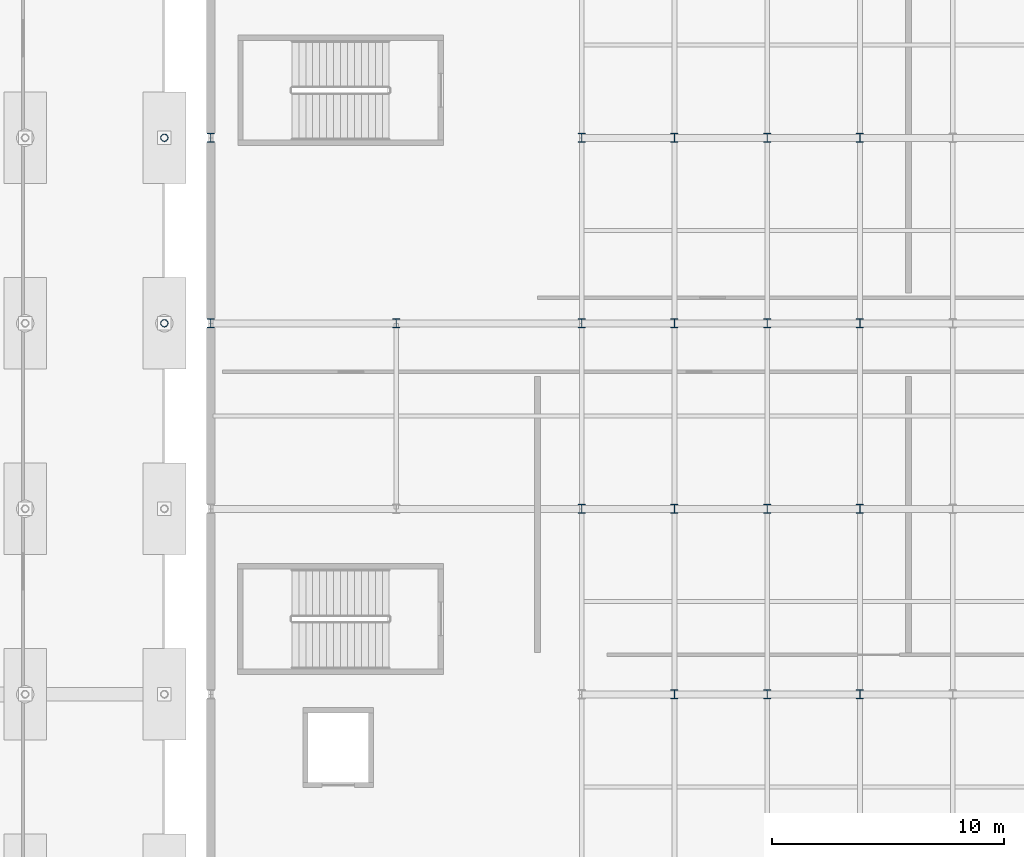
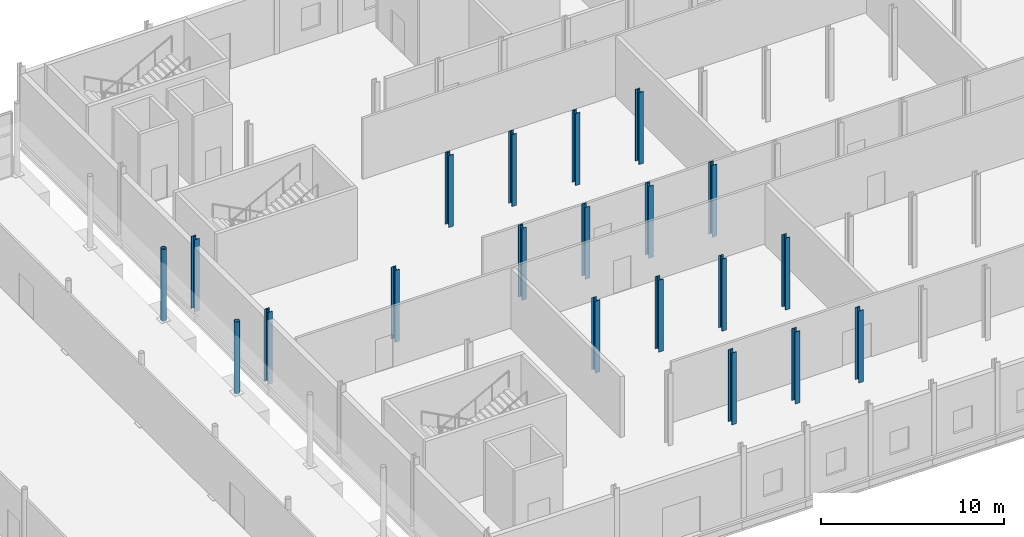
# One storey, part 21 of 101: 20 columns.
"""IFC4 building model written with IfcOpenShell, lengths in metres."""

from ifc_helpers import new_model, si_unit, derived_unit, direction, frame, origin, origin_2d, place, context, subcontext, project, spatial, hollow_circle, i_section, extrude, material, material_profile, profile_set, type_object, element, save


model = new_model("IFC4")

# Units and contexts
model_context = context("Model", 3, precision=1e-05, world=origin(), true_north=direction((0.0, 1.0)))
body_context = subcontext(model_context, "Body", "Model", "MODEL_VIEW")
ifc_project = project(units=[si_unit("LENGTHUNIT", "METRE"), si_unit("AREAUNIT", "SQUARE_METRE"), si_unit("VOLUMEUNIT", "CUBIC_METRE"), si_unit("PLANEANGLEUNIT", "RADIAN"), si_unit("MASSUNIT", "GRAM", prefix="KILO"), derived_unit("THERMALTRANSMITTANCEUNIT", [(si_unit("POWERUNIT", "WATT"), 1), (si_unit("LENGTHUNIT", "METRE"), -2), (si_unit("THERMODYNAMICTEMPERATUREUNIT", "KELVIN"), -1)])], contexts=[model_context])

# Site, building, storey
site_placement = place(None, origin())
site = spatial("IfcSite", under=ifc_project, at=site_placement, CompositionType="ELEMENT")
building_placement = place(site_placement, origin())
building = spatial("IfcBuilding", under=site, at=building_placement, Name="Keldorne Ridge Multi-Sports Centre", CompositionType="ELEMENT")
storey_placement = place(building_placement, origin())
storey = spatial("IfcBuildingStorey", under=building, at=storey_placement, Name="L00", CompositionType="ELEMENT", Elevation=0.0)

# Columns
ifc_material = material(Name="Steel S355", Category="steel")
ifc_material_profile_1 = material_profile(ifc_material, hollow_circle(Radius=0.161865234375, WallThickness=0.01611328125, at=origin_2d()), Name="CHS 323.9x16")
ifc_profile_set_1 = profile_set([ifc_material_profile_1], Name="Steel S355")
column_type_1 = type_object("IfcColumnType", Name="COL-C-08", PredefinedType="COLUMN", material=ifc_profile_set_1)
for number, where, z_axis, x_axis, name in (
    (1, (102.0, 90.0, 0.0), (0.0, 0.0, 1.0), (1.0, 0.0, 0.0), "Structural column V4-G15-11 on L00"),
    (2, (102.0, 98.0, 0.0), (0.0, 0.0, 1.0), (1.0, 0.0, 0.0), "Structural column V4-G15-12 on L00"),
):
    element("IfcColumn", number, at=place(storey_placement, frame(where, z_axis=z_axis, x_axis=x_axis)), inside=storey, type_object=column_type_1, Name=name, PredefinedType="COLUMN", context=body_context, shape_type="SweptSolid", body=[
        extrude(hollow_circle(Radius=0.161865234375, WallThickness=0.01611328125, at=origin_2d()), origin(), (0.0, 0.0, 1.0), 4.800048828125),
    ])
ifc_material_profile_2 = material_profile(ifc_material, i_section(OverallWidth=0.300048828125, OverallDepth=0.39990234375, WebThickness=0.013427734375, FlangeThickness=0.02392578125, FilletRadius=0.027099609375, at=origin_2d()), Name="HEB 400")
ifc_profile_set_2 = profile_set([ifc_material_profile_2], Name="Steel S355")
column_type_2 = type_object("IfcColumnType", Name="COL-C-09", PredefinedType="COLUMN", material=ifc_profile_set_2)
for number, where, z_axis, x_axis, name in (
    (3, (104.0, 90.0, 0.0), (0.0, 0.0, 1.0), (1.0, 0.0, 0.0), "Structural column V5-C-01-04 on L00"),
    (4, (104.0, 98.0, 0.0), (0.0, 0.0, 1.0), (1.0, 0.0, 0.0), "Structural column V5-C-01-05 on L00"),
    (5, (112.0, 90.0, 0.0), (0.0, 0.0, 1.0), (1.0, 0.0, 0.0), "Structural column V5-C-02-04 on L00"),
    (6, (120.0, 82.0, 0.0), (0.0, 0.0, 1.0), (1.0, 0.0, 0.0), "Structural column V5-C-03-03 on L00"),
    (7, (120.0, 90.0, 0.0), (0.0, 0.0, 1.0), (1.0, 0.0, 0.0), "Structural column V5-C-03-04 on L00"),
    (8, (120.0, 98.0, 0.0), (0.0, 0.0, 1.0), (1.0, 0.0, 0.0), "Structural column V5-C-03-05 on L00"),
    (9, (124.0, 74.0, 0.0), (0.0, 0.0, 1.0), (1.0, 0.0, 0.0), "Structural column V5-C-04-02 on L00"),
    (10, (124.0, 82.0, 0.0), (0.0, 0.0, 1.0), (1.0, 0.0, 0.0), "Structural column V5-C-04-03 on L00"),
    (11, (124.0, 90.0, 0.0), (0.0, 0.0, 1.0), (1.0, 0.0, 0.0), "Structural column V5-C-04-04 on L00"),
    (12, (124.0, 98.0, 0.0), (0.0, 0.0, 1.0), (1.0, 0.0, 0.0), "Structural column V5-C-04-05 on L00"),
    (13, (128.0, 74.0, 0.0), (0.0, 0.0, 1.0), (1.0, 0.0, 0.0), "Structural column V5-C-05-02 on L00"),
    (14, (128.0, 82.0, 0.0), (0.0, 0.0, 1.0), (1.0, 0.0, 0.0), "Structural column V5-C-05-03 on L00"),
    (15, (128.0, 90.0, 0.0), (0.0, 0.0, 1.0), (1.0, 0.0, 0.0), "Structural column V5-C-05-04 on L00"),
    (16, (128.0, 98.0, 0.0), (0.0, 0.0, 1.0), (1.0, 0.0, 0.0), "Structural column V5-C-05-05 on L00"),
    (17, (132.0, 74.0, 0.0), (0.0, 0.0, 1.0), (1.0, 0.0, 0.0), "Structural column V5-C-06-02 on L00"),
    (18, (132.0, 82.0, 0.0), (0.0, 0.0, 1.0), (1.0, 0.0, 0.0), "Structural column V5-C-06-03 on L00"),
    (19, (132.0, 90.0, 0.0), (0.0, 0.0, 1.0), (1.0, 0.0, 0.0), "Structural column V5-C-06-04 on L00"),
    (20, (132.0, 98.0, 0.0), (0.0, 0.0, 1.0), (1.0, 0.0, 0.0), "Structural column V5-C-06-05 on L00"),
):
    element("IfcColumn", number, at=place(storey_placement, frame(where, z_axis=z_axis, x_axis=x_axis)), inside=storey, type_object=column_type_2, Name=name, PredefinedType="COLUMN", context=body_context, shape_type="SweptSolid", body=[
        extrude(i_section(OverallWidth=0.300048828125, OverallDepth=0.39990234375, WebThickness=0.013427734375, FlangeThickness=0.02392578125, FilletRadius=0.027099609375, at=origin_2d()), origin(), (0.0, 0.0, 1.0), 4.800048828125),
    ])

save(model, "model.ifc")
